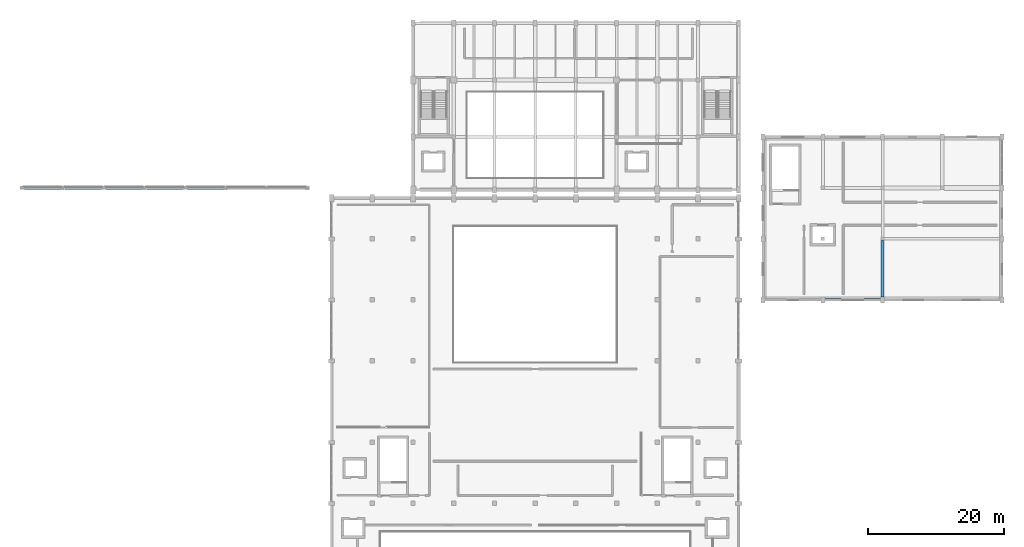
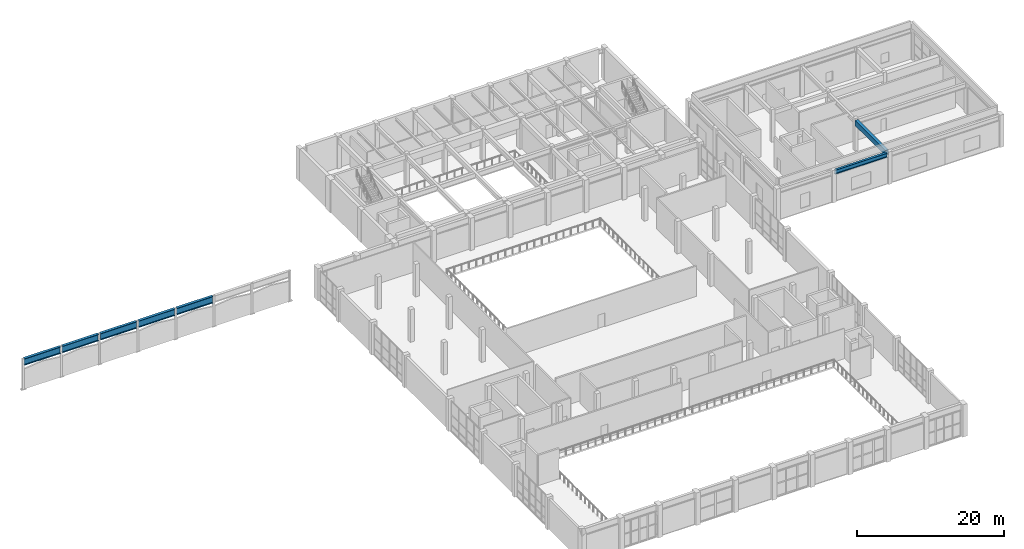
# One storey, part 15 of 41: 7 beams.
"""IFC4 building model written with IfcOpenShell, lengths in metres."""

from ifc_helpers import new_model, si_unit, direction, frame, origin, origin_2d, place, context, subcontext, project, spatial, rectangle, i_section, extrude, material, material_profile, profile_set, type_object, element, save


model = new_model("IFC4")

# Units and contexts
model_context = context("Model", 3, precision=1e-05, world=origin(), true_north=direction((0.0, 1.0)))
body_context = subcontext(model_context, "Body", "Model", "MODEL_VIEW")
ifc_project = project(units=[si_unit("LENGTHUNIT", "METRE"), si_unit("AREAUNIT", "SQUARE_METRE"), si_unit("VOLUMEUNIT", "CUBIC_METRE"), si_unit("PLANEANGLEUNIT", "RADIAN"), si_unit("MASSUNIT", "GRAM", prefix="KILO")], contexts=[model_context])

# Site, building, storey
site_placement = place(None, origin())
site = spatial("IfcSite", under=ifc_project, at=site_placement, CompositionType="ELEMENT")
building_placement = place(site_placement, origin())
building = spatial("IfcBuilding", under=site, at=building_placement, Name="Vaelkrest Opera House", CompositionType="ELEMENT")
storey_placement = place(building_placement, frame((0.0, 0.0, 24.60009765625)))
storey = spatial("IfcBuildingStorey", under=building, at=storey_placement, Name="L05", CompositionType="ELEMENT", Elevation=24.60009765625)

# Beams
ifc_material_1 = material(Name="Concrete C50/60", Category="concrete")
ifc_material_profile_1 = material_profile(ifc_material_1, rectangle(XDim=0.5, YDim=0.85009765625, at=origin_2d()), Name="RCB500X850")
ifc_profile_set_1 = profile_set([ifc_material_profile_1], Name="Concrete C50/60")
beam_type_1 = type_object("IfcBeamType", Name="B03", PredefinedType="BEAM", material=ifc_profile_set_1)
beam_1_placement = place(storey_placement, frame((51.199951171875, 1.64990234375, 4.679931640625), z_axis=(0.0, 1.0, 0.0), x_axis=(-1.0, 0.0, 0.0)))
element("IfcBeam", 1, at=beam_1_placement, inside=storey, type_object=beam_type_1, Name="Beam BM-V4-L05-2448", PredefinedType="BEAM", context=body_context, shape_type="SweptSolid", body=[
    extrude(rectangle(XDim=0.5, YDim=0.85009765625, at=origin_2d()), origin(), (0.0, 0.0, 1.0), 8.300048828125),
])
ifc_material_2 = material(Name="Steel A992 Gr50", Category="steel")
ifc_material_profile_2 = material_profile(ifc_material_2, i_section(OverallWidth=0.35498046875, OverallDepth=0.695068359375, WebThickness=0.015380859375, FlangeThickness=0.02490234375, at=origin_2d()), Name="W27X146")
ifc_profile_set_2 = profile_set([ifc_material_profile_2], Name="Steel A992 Gr50")
beam_type_2 = type_object("IfcBeamType", Name="SP02", PredefinedType="SPANDREL", material=ifc_profile_set_2)
beam_2_placement = place(storey_placement, frame((42.699951171875, 1.199951171875, 4.75732421875), z_axis=(1.0, 0.0, 0.0), x_axis=(0.0, 1.0, 0.0)))
element("IfcBeam", 2, at=beam_2_placement, inside=storey, type_object=beam_type_2, Name="Beam BM-V4-L05-2434", PredefinedType="SPANDREL", context=body_context, shape_type="SweptSolid", body=[
    extrude(i_section(OverallWidth=0.35498046875, OverallDepth=0.695068359375, WebThickness=0.015380859375, FlangeThickness=0.02490234375, at=origin_2d()), origin(), (0.0, 0.0, 1.0), 8.199951171875),
])
ifc_material_profile_3 = material_profile(ifc_material_2, i_section(OverallWidth=0.405029296875, OverallDepth=1.117919921875, WebThickness=0.02587890625, FlangeThickness=0.044921875, at=origin_2d()), Name="W44X335")
ifc_profile_set_3 = profile_set([ifc_material_profile_3], Name="Steel A992 Gr50")
beam_type_3 = type_object("IfcBeamType", Name="SP05", PredefinedType="SPANDREL", material=ifc_profile_set_3)
for number, where, z_axis, x_axis, name in (
    (3, (-75.43994140625, 17.699951171875, 4.52978515625), (1.0, 0.0, 0.0), (0.0, 1.0, 0.0), "Roof transfer ring girder V3-N-01"),
    (4, (-69.43994140625, 17.699951171875, 4.52978515625), (1.0, 0.0, 0.0), (0.0, 1.0, 0.0), "Roof transfer ring girder V3-N-02"),
    (5, (-63.43994140625, 17.699951171875, 4.52978515625), (1.0, 0.0, 0.0), (0.0, 1.0, 0.0), "Roof transfer ring girder V3-N-03"),
    (6, (-57.43994140625, 17.699951171875, 4.52978515625), (1.0, 0.0, 0.0), (0.0, 1.0, 0.0), "Roof transfer ring girder V3-N-04"),
    (7, (-51.43994140625, 17.699951171875, 4.52978515625), (1.0, 0.0, 0.0), (0.0, 1.0, 0.0), "Roof transfer ring girder V3-N-05"),
):
    element("IfcBeam", number, at=place(storey_placement, frame(where, z_axis=z_axis, x_axis=x_axis)), inside=storey, type_object=beam_type_3, Name=name, PredefinedType="SPANDREL", context=body_context, shape_type="SweptSolid", body=[
        extrude(i_section(OverallWidth=0.405029296875, OverallDepth=1.117919921875, WebThickness=0.02587890625, FlangeThickness=0.044921875, at=origin_2d()), origin(), (0.0, 0.0, 1.0), 5.679931640625),
    ])

save(model, "model.ifc")
